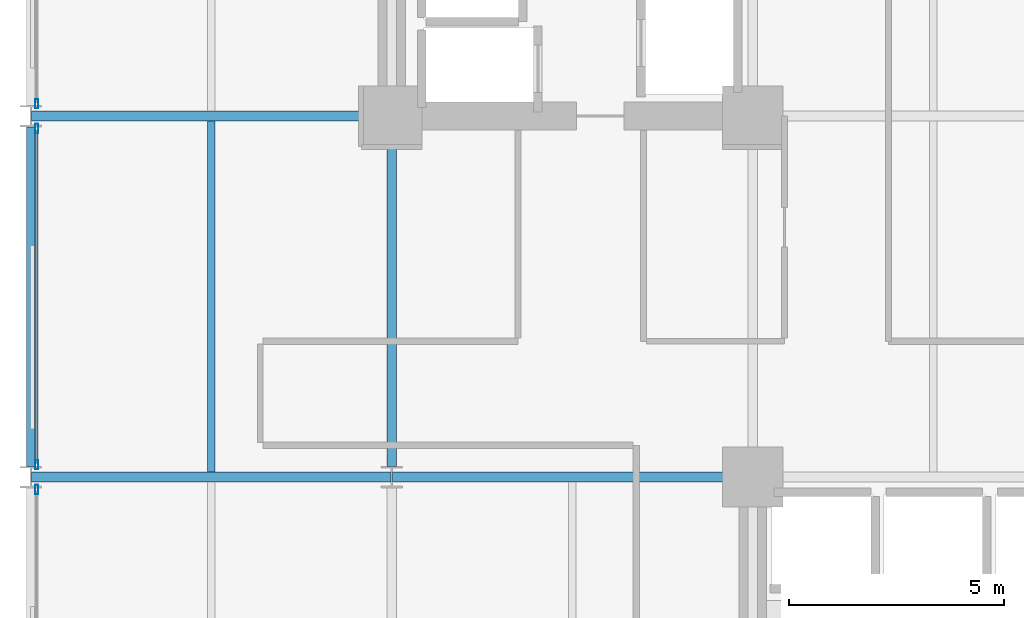
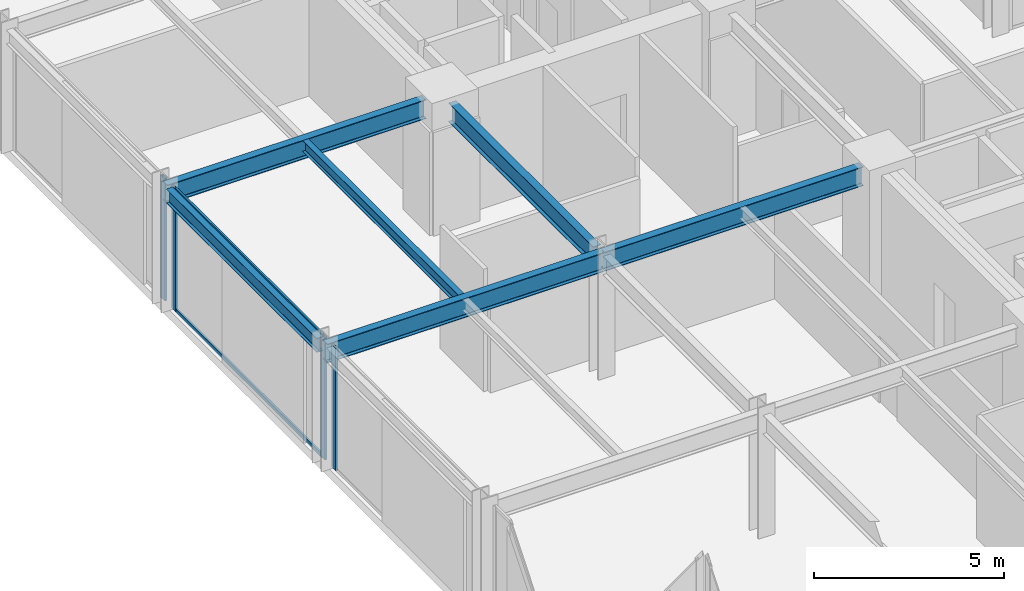
# One storey, part 6 of 24: 6 beams, 6 members, 3 elements without a shape of their own.
"""IFC4 building model written with IfcOpenShell, lengths in metres."""

from ifc_helpers import new_model, si_unit, direction, frame, origin, origin_2d, place, context, subcontext, project, spatial, hollow_rectangle, i_section, extrude, material, layer, layer_set, material_profile, profile_set, type_object, element, aggregate, save


model = new_model("IFC4")

# Units and contexts
model_context = context("Model", 3, precision=1e-05, world=origin(), true_north=direction((0.0, 1.0)))
body_context = subcontext(model_context, "Body", "Model", "MODEL_VIEW")
ifc_project = project(units=[si_unit("LENGTHUNIT", "METRE"), si_unit("AREAUNIT", "SQUARE_METRE"), si_unit("VOLUMEUNIT", "CUBIC_METRE"), si_unit("PLANEANGLEUNIT", "RADIAN"), si_unit("MASSUNIT", "GRAM", prefix="KILO")], contexts=[model_context])

# Site, building, storey
site_placement = place(None, origin())
site = spatial("IfcSite", under=ifc_project, at=site_placement, CompositionType="ELEMENT")
building_placement = place(site_placement, origin())
building = spatial("IfcBuilding", under=site, at=building_placement, Name="Nerrivon Quay Data Exchange", CompositionType="ELEMENT")
storey_placement = place(building_placement, frame((0.0, 0.0, 33.199951171875)))
storey = spatial("IfcBuildingStorey", under=building, at=storey_placement, Name="L07", CompositionType="ELEMENT", Elevation=33.199951171875)

# Beams
ifc_material_1 = material(Name="Steel Grade 350", Category="steel")
ifc_material_profile_1 = material_profile(ifc_material_1, i_section(OverallWidth=0.22900390625, OverallDepth=0.612060546875, WebThickness=0.011962890625, FlangeThickness=0.01953125, FilletRadius=0.013916015625, at=origin_2d()), Name="610UB125")
ifc_profile_set_1 = profile_set([ifc_material_profile_1], Name="Steel Grade 350")
beam_type_1 = type_object("IfcBeamType", Name="BM-G1-610UB125", PredefinedType="BEAM", material=ifc_profile_set_1)
beam_1_placement = place(storey_placement, frame((0.013916015625, 16.800048828125, 3.619140625), z_axis=(1.0, 0.0, 0.0), x_axis=(0.0, 1.0, 0.0)))
element("IfcBeam", 1, at=beam_1_placement, inside=storey, type_object=beam_type_1, Name="L07 EW Girder Y=16.8 (0.0..8.4)", PredefinedType="BEAM", context=body_context, shape_type="SweptSolid", body=[
    extrude(i_section(OverallWidth=0.22900390625, OverallDepth=0.612060546875, WebThickness=0.011962890625, FlangeThickness=0.01953125, FilletRadius=0.013916015625, at=origin_2d()), origin(), (0.0, 0.0, 1.0), 8.3720703125),
])
beam_2_placement = place(storey_placement, frame((8.4140625, 16.800048828125, 3.619140625), z_axis=(1.0, 0.0, 0.0), x_axis=(0.0, 1.0, 0.0)))
element("IfcBeam", 2, at=beam_2_placement, inside=storey, type_object=beam_type_1, Name="L07 EW Girder Y=16.8 (8.4..16.8)", PredefinedType="BEAM", context=body_context, shape_type="SweptSolid", body=[
    extrude(i_section(OverallWidth=0.22900390625, OverallDepth=0.612060546875, WebThickness=0.011962890625, FlangeThickness=0.01953125, FilletRadius=0.013916015625, at=origin_2d()), origin(), (0.0, 0.0, 1.0), 7.845947265625),
])
beam_3_placement = place(storey_placement, frame((0.013916015625, 25.199951171875, 3.619140625), z_axis=(1.0, 0.0, 0.0), x_axis=(0.0, 1.0, 0.0)))
element("IfcBeam", 3, at=beam_3_placement, inside=storey, type_object=beam_type_1, Name="L07 EW Girder Y=25.2 (0.0..8.4)", PredefinedType="BEAM", context=body_context, shape_type="SweptSolid", body=[
    extrude(i_section(OverallWidth=0.22900390625, OverallDepth=0.612060546875, WebThickness=0.011962890625, FlangeThickness=0.01953125, FilletRadius=0.013916015625, at=origin_2d()), origin(), (0.0, 0.0, 1.0), 7.84619140625),
])
ifc_material_profile_2 = material_profile(ifc_material_1, i_section(OverallWidth=0.22802734375, OverallDepth=0.60205078125, WebThickness=0.010498046875, FlangeThickness=0.014892578125, FilletRadius=0.013916015625, at=origin_2d()), Name="610UB101")
ifc_profile_set_2 = profile_set([ifc_material_profile_2], Name="Steel Grade 350")
beam_type_2 = type_object("IfcBeamType", Name="BM-G2-610UB101", PredefinedType="BEAM", material=ifc_profile_set_2)
beam_4_placement = place(storey_placement, frame((8.39990234375, 17.050048828125, 3.6240234375), z_axis=(0.0, 1.0, 0.0), x_axis=(-1.0, 0.0, 0.0)))
element("IfcBeam", 4, at=beam_4_placement, inside=storey, type_object=beam_type_2, Name="L07 NS Girder X=8.4 (16.8..25.2)", PredefinedType="BEAM", context=body_context, shape_type="SweptSolid", body=[
    extrude(i_section(OverallWidth=0.22802734375, OverallDepth=0.60205078125, WebThickness=0.010498046875, FlangeThickness=0.014892578125, FilletRadius=0.013916015625, at=origin_2d()), origin(), (0.0, 0.0, 1.0), 7.60986328125),
])
ifc_material_profile_3 = material_profile(ifc_material_1, i_section(OverallWidth=0.172119140625, OverallDepth=0.35888671875, WebThickness=0.008056640625, FlangeThickness=0.012939453125, FilletRadius=0.011474609375, at=origin_2d()), Name="360UB56.7")
ifc_profile_set_3 = profile_set([ifc_material_profile_3], Name="Steel Grade 350")
beam_type_3 = type_object("IfcBeamType", Name="BM-J3-360UB57", PredefinedType="JOIST", material=ifc_profile_set_3)
beam_5_placement = place(storey_placement, frame((4.199951171875, 16.91455078125, 3.74560546875), z_axis=(0.0, 1.0, 0.0), x_axis=(-1.0, 0.0, 0.0)))
element("IfcBeam", 5, at=beam_5_placement, inside=storey, type_object=beam_type_3, Name="L07 Secondary Joist X=4.2 (16.8..25.2)", PredefinedType="JOIST", context=body_context, shape_type="SweptSolid", body=[
    extrude(i_section(OverallWidth=0.172119140625, OverallDepth=0.35888671875, WebThickness=0.008056640625, FlangeThickness=0.012939453125, FilletRadius=0.011474609375, at=origin_2d()), origin(), (0.0, 0.0, 1.0), 8.1708984375),
])
ifc_material_profile_4 = material_profile(ifc_material_1, i_section(OverallWidth=0.18994140625, OverallDepth=0.4541015625, WebThickness=0.008544921875, FlangeThickness=0.0126953125, FilletRadius=0.011474609375, at=origin_2d()), Name="460UB67.1")
ifc_profile_set_4 = profile_set([ifc_material_profile_4], Name="Steel Grade 350")
beam_type_4 = type_object("IfcBeamType", Name="BM-SP1-460UB67", PredefinedType="SPANDREL", material=ifc_profile_set_4)
beam_6_placement = place(storey_placement, frame((0.0, 17.050048828125, 3.697998046875), z_axis=(0.0, 1.0, 0.0), x_axis=(-1.0, 0.0, 0.0)))
element("IfcBeam", 6, at=beam_6_placement, inside=storey, type_object=beam_type_4, Name="L07 NS Girder X=0.0 (16.8..25.2)", PredefinedType="SPANDREL", context=body_context, shape_type="SweptSolid", body=[
    extrude(i_section(OverallWidth=0.18994140625, OverallDepth=0.4541015625, WebThickness=0.008544921875, FlangeThickness=0.0126953125, FilletRadius=0.011474609375, at=origin_2d()), origin(), (0.0, 0.0, 1.0), 7.89990234375),
])

# Curtain wall, member
ifc_material_2 = material(Name="Anodised aluminium 6063-T6", Category="aluminium")
ifc_layer = layer(ifc_material_2, 0.219970703125)
ifc_layer_set = layer_set([ifc_layer], Name="Anodised aluminium 6063-T6")
curtain_wall_type = type_object("IfcCurtainWallType", Name="CW-SYS-01", PredefinedType="NOTDEFINED", material=ifc_layer_set)
curtain_wall_1_placement = place(storey_placement, origin())
curtain_wall_1 = element("IfcCurtainWall", 7, at=curtain_wall_1_placement, inside=storey, type_object=curtain_wall_type, Name="L07 Unitised Curtain Wall 14", PredefinedType="NOTDEFINED")
ifc_material_profile_5 = material_profile(ifc_material_2, hollow_rectangle(XDim=0.074951171875, YDim=0.219970703125, WallThickness=0.00390625, at=origin_2d()), Name="ALU-MULL-220x75")
ifc_profile_set_5 = profile_set([ifc_material_profile_5], Name="Anodised aluminium 6063-T6")
member_type_1 = type_object("IfcMemberType", Name="CWM-220x75", PredefinedType="MULLION", material=ifc_profile_set_5)
member_1_placement = place(storey_placement, frame((0.139892578125, 16.512451171875, 0.0), z_axis=(0.0, 0.0, 1.0), x_axis=(-1.0, 0.0, 0.0)))
member_1 = element("IfcMember", 8, at=member_1_placement, type_object=member_type_1, Name="CW01 mullion 2", PredefinedType="MULLION", context=body_context, shape_type="SweptSolid", body=[
    extrude(hollow_rectangle(XDim=0.074951171875, YDim=0.219970703125, WallThickness=0.00390625, at=origin_2d()), origin(), (0.0, 0.0, 1.0), 3.925048828125),
])
aggregate(curtain_wall_1, [member_1])

# Curtain wall, members
curtain_wall_2_placement = place(storey_placement, origin())
curtain_wall_2 = element("IfcCurtainWall", 9, at=curtain_wall_2_placement, inside=storey, type_object=curtain_wall_type, Name="L07 Unitised Curtain Wall 15", PredefinedType="NOTDEFINED")
member_2_placement = place(storey_placement, frame((0.139892578125, 17.08740234375, 0.0), z_axis=(0.0, 0.0, 1.0), x_axis=(-1.0, 0.0, 0.0)))
member_2 = element("IfcMember", 10, at=member_2_placement, type_object=member_type_1, Name="CW01 mullion 1", PredefinedType="MULLION", context=body_context, shape_type="SweptSolid", body=[
    extrude(hollow_rectangle(XDim=0.074951171875, YDim=0.219970703125, WallThickness=0.00390625, at=origin_2d()), origin(), (0.0, 0.0, 1.0), 3.925048828125),
])
member_3_placement = place(storey_placement, frame((0.139892578125, 24.91259765625, 0.0), z_axis=(0.0, 0.0, 1.0), x_axis=(-1.0, 0.0, 0.0)))
member_3 = element("IfcMember", 11, at=member_3_placement, type_object=member_type_1, Name="CW01 mullion 2", PredefinedType="MULLION", context=body_context, shape_type="SweptSolid", body=[
    extrude(hollow_rectangle(XDim=0.074951171875, YDim=0.219970703125, WallThickness=0.00390625, at=origin_2d()), origin(), (0.0, 0.0, 1.0), 3.925048828125),
])

# Curtain wall, member
curtain_wall_3_placement = place(storey_placement, origin())
curtain_wall_3 = element("IfcCurtainWall", 12, at=curtain_wall_3_placement, inside=storey, type_object=curtain_wall_type, Name="L07 Unitised Curtain Wall 16", PredefinedType="NOTDEFINED")
member_4_placement = place(storey_placement, frame((0.139892578125, 25.487548828125, 0.0), z_axis=(0.0, 0.0, 1.0), x_axis=(-1.0, 0.0, 0.0)))
member_4 = element("IfcMember", 13, at=member_4_placement, type_object=member_type_1, Name="CW01 mullion 1", PredefinedType="MULLION", context=body_context, shape_type="SweptSolid", body=[
    extrude(hollow_rectangle(XDim=0.074951171875, YDim=0.219970703125, WallThickness=0.00390625, at=origin_2d()), origin(), (0.0, 0.0, 1.0), 3.925048828125),
])
aggregate(curtain_wall_3, [member_4])

# Member
ifc_material_profile_6 = material_profile(ifc_material_2, hollow_rectangle(XDim=0.06005859375, YDim=0.1201171875, WallThickness=0.003173828125, at=origin_2d()), Name="ALU-TRAN-120x60")
ifc_profile_set_6 = profile_set([ifc_material_profile_6], Name="Anodised aluminium 6063-T6")
member_type_2 = type_object("IfcMemberType", Name="CWT-120x60", PredefinedType="USERDEFINED", material=ifc_profile_set_6)
member_5_placement = place(storey_placement, frame((0.139892578125, 17.125, 0.032470703125), z_axis=(0.0, 1.0, 0.0), x_axis=(-1.0, 0.0, 0.0)))
member_5 = element("IfcMember", 14, at=member_5_placement, type_object=member_type_2, Name="CW01 transom 1.1", ObjectType="TRANSOM", PredefinedType="USERDEFINED", context=body_context, shape_type="SweptSolid", body=[
    extrude(hollow_rectangle(XDim=0.06005859375, YDim=0.1201171875, WallThickness=0.003173828125, at=origin_2d()), origin(), (0.0, 0.0, 1.0), 7.75),
])

member_6_placement = place(storey_placement, frame((0.139892578125, 17.125, 3.892578125), z_axis=(0.0, 1.0, 0.0), x_axis=(-1.0, 0.0, 0.0)))
member_6 = element("IfcMember", 15, at=member_6_placement, type_object=member_type_2, Name="CW01 transom 1.2", ObjectType="TRANSOM", PredefinedType="USERDEFINED", context=body_context, shape_type="SweptSolid", body=[
    extrude(hollow_rectangle(XDim=0.06005859375, YDim=0.1201171875, WallThickness=0.003173828125, at=origin_2d()), origin(), (0.0, 0.0, 1.0), 7.75),
])

aggregate(curtain_wall_2, [member_2, member_3, member_5, member_6])

save(model, "model.ifc")
